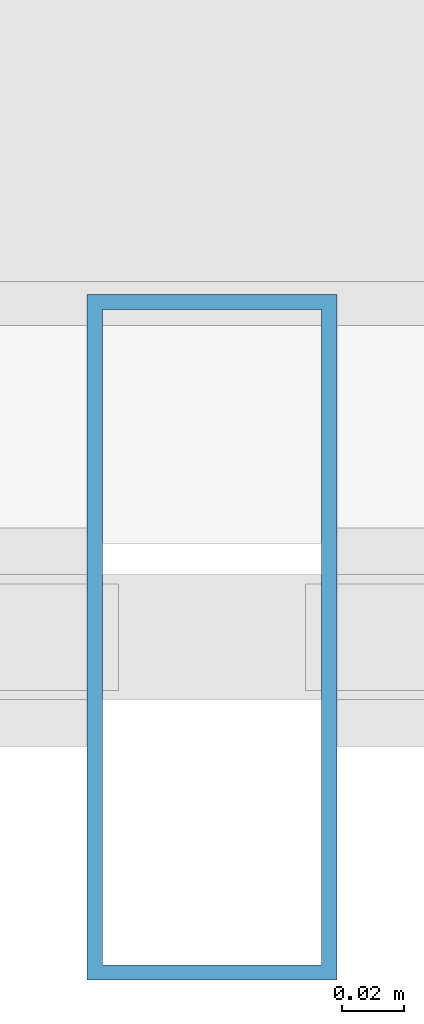
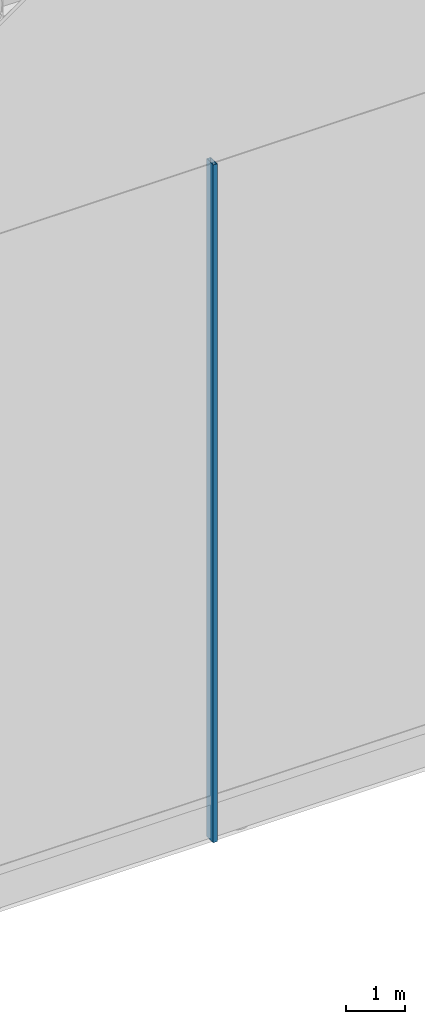
# One storey, part 6 of 42: 1 member, 1 element without a shape of its own.
"""IFC4 building model written with IfcOpenShell, lengths in metres."""

from ifc_helpers import new_model, si_unit, direction, frame, origin, origin_2d, place, context, subcontext, project, spatial, hollow_rectangle, extrude, material, layer, layer_set, material_profile, profile_set, type_object, element, aggregate, save


model = new_model("IFC4")

# Units and contexts
model_context = context("Model", 3, precision=1e-05, world=origin(), true_north=direction((0.0, 1.0)))
body_context = subcontext(model_context, "Body", "Model", "MODEL_VIEW")
ifc_project = project(units=[si_unit("LENGTHUNIT", "METRE"), si_unit("AREAUNIT", "SQUARE_METRE"), si_unit("VOLUMEUNIT", "CUBIC_METRE"), si_unit("PLANEANGLEUNIT", "RADIAN"), si_unit("MASSUNIT", "GRAM", prefix="KILO")], contexts=[model_context])

# Site, building, storey
site_placement = place(None, origin())
site = spatial("IfcSite", under=ifc_project, at=site_placement, CompositionType="ELEMENT")
building_placement = place(site_placement, origin())
building = spatial("IfcBuilding", under=site, at=building_placement, Name="Kallvorn Hotel Tower", CompositionType="ELEMENT")
storey_placement = place(building_placement, frame((0.0, 0.0, 306.0)))
storey = spatial("IfcBuildingStorey", under=building, at=storey_placement, Name="ROOF", CompositionType="ELEMENT", Elevation=306.0)

# Curtain wall, member
ifc_material_1 = material(Name="Thermally broken black-anodised aluminium AA 6063-T6", Category="aluminium")
ifc_layer = layer(ifc_material_1, 0.18994140625)
ifc_layer_set = layer_set([ifc_layer], Name="CW_SYS_7_CROWN_DRUM")
curtain_wall_type = type_object("IfcCurtainWallType", Name="CW_SYS_7_CROWN_DRUM", PredefinedType="USERDEFINED", material=ifc_layer_set)
curtain_wall_placement = place(storey_placement, origin())
curtain_wall = element("IfcCurtainWall", 1, at=curtain_wall_placement, inside=storey, type_object=curtain_wall_type, Name="ROOF Dark-Glass Curtain Wall CW-ROOF-S1", ObjectType="UNITISED CURTAIN WALL", PredefinedType="USERDEFINED")
ifc_material_2 = material(Name="Thermally broken black-anodised aluminium AA 6063-T6", Category="aluminium")
ifc_material_profile = material_profile(ifc_material_2, hollow_rectangle(XDim=0.080078125, YDim=0.219970703125, WallThickness=0.0048828125, at=origin_2d()), Name="MUL 220x80")
ifc_profile_set = profile_set([ifc_material_profile], Name="Thermally broken black-anodised aluminium AA 6063-T6")
member_type = type_object("IfcMemberType", Name="CW_MULLION_220x80", PredefinedType="MULLION", material=ifc_profile_set)
member_placement = place(storey_placement, frame((-15.010009765625, -24.25, 0.02001953125), z_axis=(0.0, 0.0, 1.0), x_axis=(1.0, 0.0, 0.0)))
member = element("IfcMember", 2, at=member_placement, type_object=member_type, Name="CW-ROOF-S1 Mullion 01", PredefinedType="MULLION", context=body_context, shape_type="SweptSolid", body=[
    extrude(hollow_rectangle(XDim=0.080078125, YDim=0.219970703125, WallThickness=0.0048828125, at=origin_2d()), origin(), (0.0, 0.0, 1.0), 13.9599609375),
])
aggregate(curtain_wall, [member])

save(model, "model.ifc")
